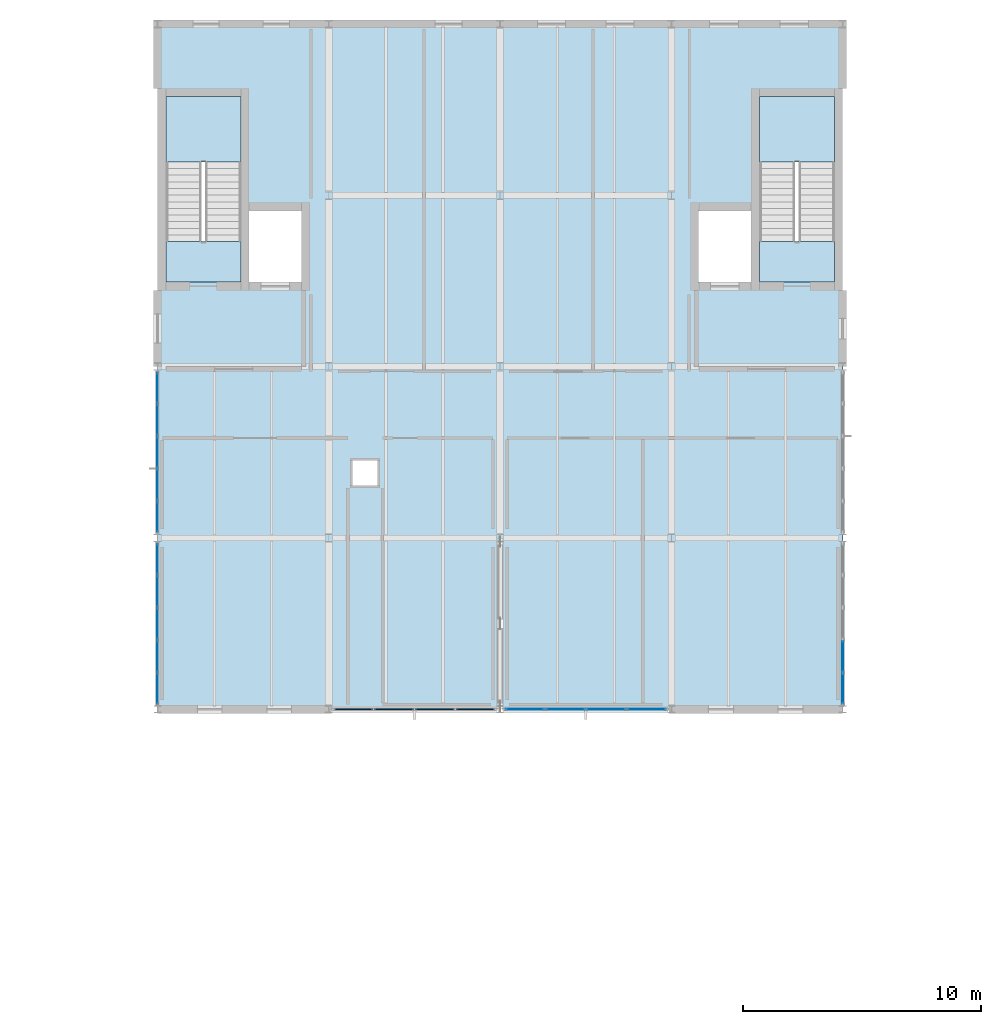
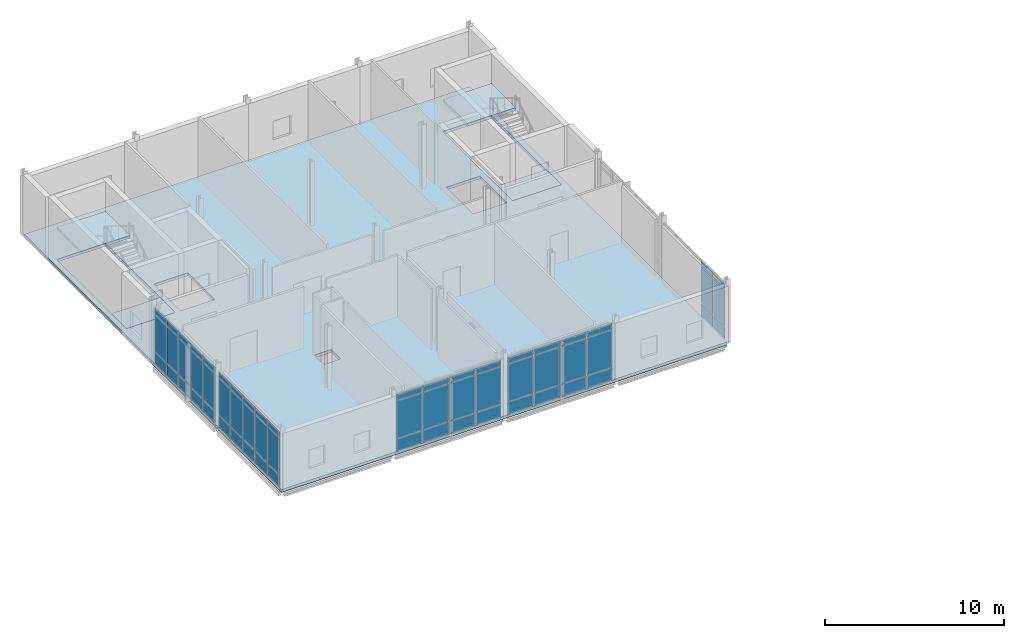
# One storey, part 24 of 43: 60 plates, 5 slabs, 7 elements without a shape of their own.
"""IFC4 building model written with IfcOpenShell, lengths in metres."""

from ifc_helpers import new_model, si_unit, direction, frame, origin, origin_2d, place, context, subcontext, project, spatial, polyline, rectangle, outline, extrude, material, layer, layer_set, type_object, element, aggregate, save


model = new_model("IFC4")

# Units and contexts
model_context = context("Model", 3, precision=1e-05, world=origin(), true_north=direction((0.0, 1.0)))
body_context = subcontext(model_context, "Body", "Model", "MODEL_VIEW")
ifc_project = project(units=[si_unit("LENGTHUNIT", "METRE"), si_unit("AREAUNIT", "SQUARE_METRE"), si_unit("VOLUMEUNIT", "CUBIC_METRE"), si_unit("PLANEANGLEUNIT", "RADIAN"), si_unit("MASSUNIT", "GRAM", prefix="KILO")], contexts=[model_context])

# Site, building, storey
site_placement = place(None, origin())
site = spatial("IfcSite", under=ifc_project, at=site_placement, CompositionType="ELEMENT")
building_placement = place(site_placement, origin())
building = spatial("IfcBuilding", under=site, at=building_placement, Name="Zarrinpeak Specialist Clinic", CompositionType="ELEMENT")
storey_placement = place(building_placement, frame((0.0, 0.0, 18.39990234375)))
storey = spatial("IfcBuildingStorey", under=building, at=storey_placement, Name="L04", CompositionType="ELEMENT", Elevation=18.39990234375)

# Curtain wall, plates
ifc_material_1 = material(Name="Anodised Aluminium Alloy 6063-T6", Category="aluminium")
ifc_layer_1 = layer(ifc_material_1, 0.179931640625)
ifc_layer_set_1 = layer_set([ifc_layer_1], Name="Anodised Aluminium Alloy 6063-T6")
curtain_wall_type_1 = type_object("IfcCurtainWallType", Name="CW-COURT", PredefinedType="NOTDEFINED", material=ifc_layer_set_1)
curtain_wall_1_placement = place(storey_placement, origin())
curtain_wall_1 = element("IfcCurtainWall", 1, at=curtain_wall_1_placement, inside=storey, type_object=curtain_wall_type_1, Name="L04 V6 Unitised Curtain Wall CW-L04-V6-154", PredefinedType="NOTDEFINED")
ifc_material_2 = material(Name="Double Low-E Insulated Glazing", Category="glass")
ifc_layer_2 = layer(ifc_material_2, 0.028076171875)
ifc_layer_set_2 = layer_set([ifc_layer_2], Name="Double Low-E Insulated Glazing")
plate_type_1 = type_object("IfcPlateType", Name="CWP-GLZ28", PredefinedType="CURTAIN_PANEL", material=ifc_layer_set_2)
plate_1_placement = place(storey_placement, frame((51.4423828125, 89.199951171875, 0.074951171875), z_axis=(0.0, 0.0, 1.0), x_axis=(1.0, 0.0, 0.0)))
plate_1 = element("IfcPlate", 2, at=plate_1_placement, type_object=plate_type_1, Name="CW-01 panel 1.1", PredefinedType="CURTAIN_PANEL", context=body_context, shape_type="SweptSolid", body=[
    extrude(rectangle(XDim=1.60498046875, YDim=0.028076171875, at=origin_2d()), origin(), (0.0, 0.0, 1.0), 0.78759765625),
])
plate_2_placement = place(storey_placement, frame((51.4423828125, 89.199951171875, 0.9375), z_axis=(0.0, 0.0, 1.0), x_axis=(1.0, 0.0, 0.0)))
plate_2 = element("IfcPlate", 3, at=plate_2_placement, type_object=plate_type_1, Name="CW-01 panel 1.2", PredefinedType="CURTAIN_PANEL", context=body_context, shape_type="SweptSolid", body=[
    extrude(rectangle(XDim=1.60498046875, YDim=0.028076171875, at=origin_2d()), origin(), (0.0, 0.0, 1.0), 2.514892578125),
])
plate_3_placement = place(storey_placement, frame((51.4423828125, 89.199951171875, 3.527587890625), z_axis=(0.0, 0.0, 1.0), x_axis=(1.0, 0.0, 0.0)))
plate_3 = element("IfcPlate", 4, at=plate_3_placement, type_object=plate_type_1, Name="CW-01 panel 1.3", PredefinedType="CURTAIN_PANEL", context=body_context, shape_type="SweptSolid", body=[
    extrude(rectangle(XDim=1.60498046875, YDim=0.028076171875, at=origin_2d()), origin(), (0.0, 0.0, 1.0), 0.33740234375),
])
plate_4_placement = place(storey_placement, frame((53.141357421875, 89.199951171875, 0.074951171875), z_axis=(0.0, 0.0, 1.0), x_axis=(1.0, 0.0, 0.0)))
plate_4 = element("IfcPlate", 5, at=plate_4_placement, type_object=plate_type_1, Name="CW-01 panel 2.1", PredefinedType="CURTAIN_PANEL", context=body_context, shape_type="SweptSolid", body=[
    extrude(rectangle(XDim=1.642578125, YDim=0.028076171875, at=origin_2d()), origin(), (0.0, 0.0, 1.0), 0.78759765625),
])
plate_5_placement = place(storey_placement, frame((53.141357421875, 89.199951171875, 0.9375), z_axis=(0.0, 0.0, 1.0), x_axis=(1.0, 0.0, 0.0)))
plate_5 = element("IfcPlate", 6, at=plate_5_placement, type_object=plate_type_1, Name="CW-01 panel 2.2", PredefinedType="CURTAIN_PANEL", context=body_context, shape_type="SweptSolid", body=[
    extrude(rectangle(XDim=1.642578125, YDim=0.028076171875, at=origin_2d()), origin(), (0.0, 0.0, 1.0), 2.514892578125),
])
plate_6_placement = place(storey_placement, frame((53.141357421875, 89.199951171875, 3.527587890625), z_axis=(0.0, 0.0, 1.0), x_axis=(1.0, 0.0, 0.0)))
plate_6 = element("IfcPlate", 7, at=plate_6_placement, type_object=plate_type_1, Name="CW-01 panel 2.3", PredefinedType="CURTAIN_PANEL", context=body_context, shape_type="SweptSolid", body=[
    extrude(rectangle(XDim=1.642578125, YDim=0.028076171875, at=origin_2d()), origin(), (0.0, 0.0, 1.0), 0.33740234375),
])
plate_7_placement = place(storey_placement, frame((54.858642578125, 89.199951171875, 0.074951171875), z_axis=(0.0, 0.0, 1.0), x_axis=(1.0, 0.0, 0.0)))
plate_7 = element("IfcPlate", 8, at=plate_7_placement, type_object=plate_type_1, Name="CW-01 panel 3.1", PredefinedType="CURTAIN_PANEL", context=body_context, shape_type="SweptSolid", body=[
    extrude(rectangle(XDim=1.642578125, YDim=0.028076171875, at=origin_2d()), origin(), (0.0, 0.0, 1.0), 0.78759765625),
])
plate_8_placement = place(storey_placement, frame((54.858642578125, 89.199951171875, 0.9375), z_axis=(0.0, 0.0, 1.0), x_axis=(1.0, 0.0, 0.0)))
plate_8 = element("IfcPlate", 9, at=plate_8_placement, type_object=plate_type_1, Name="CW-01 panel 3.2", PredefinedType="CURTAIN_PANEL", context=body_context, shape_type="SweptSolid", body=[
    extrude(rectangle(XDim=1.642578125, YDim=0.028076171875, at=origin_2d()), origin(), (0.0, 0.0, 1.0), 2.514892578125),
])
plate_9_placement = place(storey_placement, frame((54.858642578125, 89.199951171875, 3.527587890625), z_axis=(0.0, 0.0, 1.0), x_axis=(1.0, 0.0, 0.0)))
plate_9 = element("IfcPlate", 10, at=plate_9_placement, type_object=plate_type_1, Name="CW-01 panel 3.3", PredefinedType="CURTAIN_PANEL", context=body_context, shape_type="SweptSolid", body=[
    extrude(rectangle(XDim=1.642578125, YDim=0.028076171875, at=origin_2d()), origin(), (0.0, 0.0, 1.0), 0.33740234375),
])
plate_10_placement = place(storey_placement, frame((56.5576171875, 89.199951171875, 0.074951171875), z_axis=(0.0, 0.0, 1.0), x_axis=(1.0, 0.0, 0.0)))
plate_10 = element("IfcPlate", 11, at=plate_10_placement, type_object=plate_type_1, Name="CW-01 panel 4.1", PredefinedType="CURTAIN_PANEL", context=body_context, shape_type="SweptSolid", body=[
    extrude(rectangle(XDim=1.60498046875, YDim=0.028076171875, at=origin_2d()), origin(), (0.0, 0.0, 1.0), 0.78759765625),
])
plate_11_placement = place(storey_placement, frame((56.5576171875, 89.199951171875, 0.9375), z_axis=(0.0, 0.0, 1.0), x_axis=(1.0, 0.0, 0.0)))
plate_11 = element("IfcPlate", 12, at=plate_11_placement, type_object=plate_type_1, Name="CW-01 panel 4.2", PredefinedType="CURTAIN_PANEL", context=body_context, shape_type="SweptSolid", body=[
    extrude(rectangle(XDim=1.60498046875, YDim=0.028076171875, at=origin_2d()), origin(), (0.0, 0.0, 1.0), 2.514892578125),
])
plate_12_placement = place(storey_placement, frame((56.5576171875, 89.199951171875, 3.527587890625), z_axis=(0.0, 0.0, 1.0), x_axis=(1.0, 0.0, 0.0)))
plate_12 = element("IfcPlate", 13, at=plate_12_placement, type_object=plate_type_1, Name="CW-01 panel 4.3", PredefinedType="CURTAIN_PANEL", context=body_context, shape_type="SweptSolid", body=[
    extrude(rectangle(XDim=1.60498046875, YDim=0.028076171875, at=origin_2d()), origin(), (0.0, 0.0, 1.0), 0.33740234375),
])
aggregate(curtain_wall_1, [plate_1, plate_2, plate_3, plate_4, plate_5, plate_6, plate_7, plate_8, plate_9, plate_10, plate_11, plate_12])

ifc_layer_3 = layer(ifc_material_1, 0.1650390625)
ifc_layer_set_3 = layer_set([ifc_layer_3], Name="Anodised Aluminium Alloy 6063-T6")
curtain_wall_type_2 = type_object("IfcCurtainWallType", Name="CW-CLINIC", PredefinedType="NOTDEFINED", material=ifc_layer_set_3)
curtain_wall_2_placement = place(storey_placement, origin())
curtain_wall_2 = element("IfcCurtainWall", 14, at=curtain_wall_2_placement, inside=storey, type_object=curtain_wall_type_2, Name="L04 V6 Unitised Curtain Wall CW-L04-V6-155", PredefinedType="NOTDEFINED")
plate_13_placement = place(storey_placement, frame((36.0, 95.51123046875, 0.074951171875), z_axis=(0.0, 0.0, 1.0), x_axis=(0.0, -1.0, 0.0)))
plate_13 = element("IfcPlate", 15, at=plate_13_placement, type_object=plate_type_1, Name="CW-03 panel 1.1", PredefinedType="CURTAIN_PANEL", context=body_context, shape_type="SweptSolid", body=[
    extrude(rectangle(XDim=1.257568359375, YDim=0.028076171875, at=origin_2d()), origin(), (0.0, 0.0, 1.0), 0.78759765625),
])
plate_14_placement = place(storey_placement, frame((36.0, 95.51123046875, 0.9375), z_axis=(0.0, 0.0, 1.0), x_axis=(0.0, -1.0, 0.0)))
plate_14 = element("IfcPlate", 16, at=plate_14_placement, type_object=plate_type_1, Name="CW-03 panel 1.2", PredefinedType="CURTAIN_PANEL", context=body_context, shape_type="SweptSolid", body=[
    extrude(rectangle(XDim=1.257568359375, YDim=0.028076171875, at=origin_2d()), origin(), (0.0, 0.0, 1.0), 2.465087890625),
])
plate_15_placement = place(storey_placement, frame((36.0, 95.51123046875, 3.4775390625), z_axis=(0.0, 0.0, 1.0), x_axis=(0.0, -1.0, 0.0)))
plate_15 = element("IfcPlate", 17, at=plate_15_placement, type_object=plate_type_1, Name="CW-03 panel 1.3", PredefinedType="CURTAIN_PANEL", context=body_context, shape_type="SweptSolid", body=[
    extrude(rectangle(XDim=1.257568359375, YDim=0.028076171875, at=origin_2d()), origin(), (0.0, 0.0, 1.0), 0.33740234375),
])
plate_16_placement = place(storey_placement, frame((36.0, 94.159912109375, 0.074951171875), z_axis=(0.0, 0.0, 1.0), x_axis=(0.0, -1.0, 0.0)))
plate_16 = element("IfcPlate", 18, at=plate_16_placement, type_object=plate_type_1, Name="CW-03 panel 2.1", PredefinedType="CURTAIN_PANEL", context=body_context, shape_type="SweptSolid", body=[
    extrude(rectangle(XDim=1.294921875, YDim=0.028076171875, at=origin_2d()), origin(), (0.0, 0.0, 1.0), 0.78759765625),
])
plate_17_placement = place(storey_placement, frame((36.0, 94.159912109375, 0.9375), z_axis=(0.0, 0.0, 1.0), x_axis=(0.0, -1.0, 0.0)))
plate_17 = element("IfcPlate", 19, at=plate_17_placement, type_object=plate_type_1, Name="CW-03 panel 2.2", PredefinedType="CURTAIN_PANEL", context=body_context, shape_type="SweptSolid", body=[
    extrude(rectangle(XDim=1.294921875, YDim=0.028076171875, at=origin_2d()), origin(), (0.0, 0.0, 1.0), 2.465087890625),
])
plate_18_placement = place(storey_placement, frame((36.0, 94.159912109375, 3.4775390625), z_axis=(0.0, 0.0, 1.0), x_axis=(0.0, -1.0, 0.0)))
plate_18 = element("IfcPlate", 20, at=plate_18_placement, type_object=plate_type_1, Name="CW-03 panel 2.3", PredefinedType="CURTAIN_PANEL", context=body_context, shape_type="SweptSolid", body=[
    extrude(rectangle(XDim=1.294921875, YDim=0.028076171875, at=origin_2d()), origin(), (0.0, 0.0, 1.0), 0.33740234375),
])
plate_19_placement = place(storey_placement, frame((36.0, 92.7900390625, 0.074951171875), z_axis=(0.0, 0.0, 1.0), x_axis=(0.0, -1.0, 0.0)))
plate_19 = element("IfcPlate", 21, at=plate_19_placement, type_object=plate_type_1, Name="CW-03 panel 3.1", PredefinedType="CURTAIN_PANEL", context=body_context, shape_type="SweptSolid", body=[
    extrude(rectangle(XDim=1.294921875, YDim=0.028076171875, at=origin_2d()), origin(), (0.0, 0.0, 1.0), 0.78759765625),
])
plate_20_placement = place(storey_placement, frame((36.0, 92.7900390625, 0.9375), z_axis=(0.0, 0.0, 1.0), x_axis=(0.0, -1.0, 0.0)))
plate_20 = element("IfcPlate", 22, at=plate_20_placement, type_object=plate_type_1, Name="CW-03 panel 3.2", PredefinedType="CURTAIN_PANEL", context=body_context, shape_type="SweptSolid", body=[
    extrude(rectangle(XDim=1.294921875, YDim=0.028076171875, at=origin_2d()), origin(), (0.0, 0.0, 1.0), 2.465087890625),
])
plate_21_placement = place(storey_placement, frame((36.0, 92.7900390625, 3.4775390625), z_axis=(0.0, 0.0, 1.0), x_axis=(0.0, -1.0, 0.0)))
plate_21 = element("IfcPlate", 23, at=plate_21_placement, type_object=plate_type_1, Name="CW-03 panel 3.3", PredefinedType="CURTAIN_PANEL", context=body_context, shape_type="SweptSolid", body=[
    extrude(rectangle(XDim=1.294921875, YDim=0.028076171875, at=origin_2d()), origin(), (0.0, 0.0, 1.0), 0.33740234375),
])
plate_22_placement = place(storey_placement, frame((36.0, 91.419921875, 0.074951171875), z_axis=(0.0, 0.0, 1.0), x_axis=(0.0, -1.0, 0.0)))
plate_22 = element("IfcPlate", 24, at=plate_22_placement, type_object=plate_type_1, Name="CW-03 panel 4.1", PredefinedType="CURTAIN_PANEL", context=body_context, shape_type="SweptSolid", body=[
    extrude(rectangle(XDim=1.294921875, YDim=0.028076171875, at=origin_2d()), origin(), (0.0, 0.0, 1.0), 0.78759765625),
])
plate_23_placement = place(storey_placement, frame((36.0, 91.419921875, 0.9375), z_axis=(0.0, 0.0, 1.0), x_axis=(0.0, -1.0, 0.0)))
plate_23 = element("IfcPlate", 25, at=plate_23_placement, type_object=plate_type_1, Name="CW-03 panel 4.2", PredefinedType="CURTAIN_PANEL", context=body_context, shape_type="SweptSolid", body=[
    extrude(rectangle(XDim=1.294921875, YDim=0.028076171875, at=origin_2d()), origin(), (0.0, 0.0, 1.0), 2.465087890625),
])
plate_24_placement = place(storey_placement, frame((36.0, 91.419921875, 3.4775390625), z_axis=(0.0, 0.0, 1.0), x_axis=(0.0, -1.0, 0.0)))
plate_24 = element("IfcPlate", 26, at=plate_24_placement, type_object=plate_type_1, Name="CW-03 panel 4.3", PredefinedType="CURTAIN_PANEL", context=body_context, shape_type="SweptSolid", body=[
    extrude(rectangle(XDim=1.294921875, YDim=0.028076171875, at=origin_2d()), origin(), (0.0, 0.0, 1.0), 0.33740234375),
])
plate_25_placement = place(storey_placement, frame((36.0, 90.06884765625, 0.074951171875), z_axis=(0.0, 0.0, 1.0), x_axis=(0.0, -1.0, 0.0)))
plate_25 = element("IfcPlate", 27, at=plate_25_placement, type_object=plate_type_1, Name="CW-03 panel 5.1", PredefinedType="CURTAIN_PANEL", context=body_context, shape_type="SweptSolid", body=[
    extrude(rectangle(XDim=1.257568359375, YDim=0.028076171875, at=origin_2d()), origin(), (0.0, 0.0, 1.0), 0.78759765625),
])
plate_26_placement = place(storey_placement, frame((36.0, 90.06884765625, 0.9375), z_axis=(0.0, 0.0, 1.0), x_axis=(0.0, -1.0, 0.0)))
plate_26 = element("IfcPlate", 28, at=plate_26_placement, type_object=plate_type_1, Name="CW-03 panel 5.2", PredefinedType="CURTAIN_PANEL", context=body_context, shape_type="SweptSolid", body=[
    extrude(rectangle(XDim=1.257568359375, YDim=0.028076171875, at=origin_2d()), origin(), (0.0, 0.0, 1.0), 2.465087890625),
])
plate_27_placement = place(storey_placement, frame((36.0, 90.06884765625, 3.4775390625), z_axis=(0.0, 0.0, 1.0), x_axis=(0.0, -1.0, 0.0)))
plate_27 = element("IfcPlate", 29, at=plate_27_placement, type_object=plate_type_1, Name="CW-03 panel 5.3", PredefinedType="CURTAIN_PANEL", context=body_context, shape_type="SweptSolid", body=[
    extrude(rectangle(XDim=1.257568359375, YDim=0.028076171875, at=origin_2d()), origin(), (0.0, 0.0, 1.0), 0.33740234375),
])
aggregate(curtain_wall_2, [plate_13, plate_14, plate_15, plate_16, plate_17, plate_18, plate_19, plate_20, plate_21, plate_22, plate_23, plate_24, plate_25, plate_26, plate_27])

curtain_wall_3_placement = place(storey_placement, origin())
curtain_wall_3 = element("IfcCurtainWall", 30, at=curtain_wall_3_placement, inside=storey, type_object=curtain_wall_type_2, Name="L04 V6 Unitised Curtain Wall CW-L04-V6-156", PredefinedType="NOTDEFINED")
plate_28_placement = place(storey_placement, frame((36.0, 102.713134765625, 0.074951171875), z_axis=(0.0, 0.0, 1.0), x_axis=(0.0, -1.0, 0.0)))
plate_28 = element("IfcPlate", 31, at=plate_28_placement, type_object=plate_type_1, Name="CW-03 panel 1.1", PredefinedType="CURTAIN_PANEL", context=body_context, shape_type="SweptSolid", body=[
    extrude(rectangle(XDim=1.25341796875, YDim=0.028076171875, at=origin_2d()), origin(), (0.0, 0.0, 1.0), 0.78759765625),
])
plate_29_placement = place(storey_placement, frame((36.0, 102.713134765625, 0.9375), z_axis=(0.0, 0.0, 1.0), x_axis=(0.0, -1.0, 0.0)))
plate_29 = element("IfcPlate", 32, at=plate_29_placement, type_object=plate_type_1, Name="CW-03 panel 1.2", PredefinedType="CURTAIN_PANEL", context=body_context, shape_type="SweptSolid", body=[
    extrude(rectangle(XDim=1.25341796875, YDim=0.028076171875, at=origin_2d()), origin(), (0.0, 0.0, 1.0), 2.47509765625),
])
plate_30_placement = place(storey_placement, frame((36.0, 102.713134765625, 3.487548828125), z_axis=(0.0, 0.0, 1.0), x_axis=(0.0, -1.0, 0.0)))
plate_30 = element("IfcPlate", 33, at=plate_30_placement, type_object=plate_type_1, Name="CW-03 panel 1.3", PredefinedType="CURTAIN_PANEL", context=body_context, shape_type="SweptSolid", body=[
    extrude(rectangle(XDim=1.25341796875, YDim=0.028076171875, at=origin_2d()), origin(), (0.0, 0.0, 1.0), 0.33740234375),
])
plate_31_placement = place(storey_placement, frame((36.0, 101.365966796875, 0.074951171875), z_axis=(0.0, 0.0, 1.0), x_axis=(0.0, -1.0, 0.0)))
plate_31 = element("IfcPlate", 34, at=plate_31_placement, type_object=plate_type_1, Name="CW-03 panel 2.1", PredefinedType="CURTAIN_PANEL", context=body_context, shape_type="SweptSolid", body=[
    extrude(rectangle(XDim=1.291015625, YDim=0.028076171875, at=origin_2d()), origin(), (0.0, 0.0, 1.0), 0.78759765625),
])
plate_32_placement = place(storey_placement, frame((36.0, 101.365966796875, 0.9375), z_axis=(0.0, 0.0, 1.0), x_axis=(0.0, -1.0, 0.0)))
plate_32 = element("IfcPlate", 35, at=plate_32_placement, type_object=plate_type_1, Name="CW-03 panel 2.2", PredefinedType="CURTAIN_PANEL", context=body_context, shape_type="SweptSolid", body=[
    extrude(rectangle(XDim=1.291015625, YDim=0.028076171875, at=origin_2d()), origin(), (0.0, 0.0, 1.0), 2.47509765625),
])
plate_33_placement = place(storey_placement, frame((36.0, 101.365966796875, 3.487548828125), z_axis=(0.0, 0.0, 1.0), x_axis=(0.0, -1.0, 0.0)))
plate_33 = element("IfcPlate", 36, at=plate_33_placement, type_object=plate_type_1, Name="CW-03 panel 2.3", PredefinedType="CURTAIN_PANEL", context=body_context, shape_type="SweptSolid", body=[
    extrude(rectangle(XDim=1.291015625, YDim=0.028076171875, at=origin_2d()), origin(), (0.0, 0.0, 1.0), 0.33740234375),
])
plate_34_placement = place(storey_placement, frame((36.0, 100.0, 0.074951171875), z_axis=(0.0, 0.0, 1.0), x_axis=(0.0, -1.0, 0.0)))
plate_34 = element("IfcPlate", 37, at=plate_34_placement, type_object=plate_type_1, Name="CW-03 panel 3.1", PredefinedType="CURTAIN_PANEL", context=body_context, shape_type="SweptSolid", body=[
    extrude(rectangle(XDim=1.291015625, YDim=0.028076171875, at=origin_2d()), origin(), (0.0, 0.0, 1.0), 0.78759765625),
])
plate_35_placement = place(storey_placement, frame((36.0, 100.0, 0.9375), z_axis=(0.0, 0.0, 1.0), x_axis=(0.0, -1.0, 0.0)))
plate_35 = element("IfcPlate", 38, at=plate_35_placement, type_object=plate_type_1, Name="CW-03 panel 3.2", PredefinedType="CURTAIN_PANEL", context=body_context, shape_type="SweptSolid", body=[
    extrude(rectangle(XDim=1.291015625, YDim=0.028076171875, at=origin_2d()), origin(), (0.0, 0.0, 1.0), 2.47509765625),
])
plate_36_placement = place(storey_placement, frame((36.0, 100.0, 3.487548828125), z_axis=(0.0, 0.0, 1.0), x_axis=(0.0, -1.0, 0.0)))
plate_36 = element("IfcPlate", 39, at=plate_36_placement, type_object=plate_type_1, Name="CW-03 panel 3.3", PredefinedType="CURTAIN_PANEL", context=body_context, shape_type="SweptSolid", body=[
    extrude(rectangle(XDim=1.291015625, YDim=0.028076171875, at=origin_2d()), origin(), (0.0, 0.0, 1.0), 0.33740234375),
])
plate_37_placement = place(storey_placement, frame((36.0, 98.634033203125, 0.074951171875), z_axis=(0.0, 0.0, 1.0), x_axis=(0.0, -1.0, 0.0)))
plate_37 = element("IfcPlate", 40, at=plate_37_placement, type_object=plate_type_1, Name="CW-03 panel 4.1", PredefinedType="CURTAIN_PANEL", context=body_context, shape_type="SweptSolid", body=[
    extrude(rectangle(XDim=1.291015625, YDim=0.028076171875, at=origin_2d()), origin(), (0.0, 0.0, 1.0), 0.78759765625),
])
plate_38_placement = place(storey_placement, frame((36.0, 98.634033203125, 0.9375), z_axis=(0.0, 0.0, 1.0), x_axis=(0.0, -1.0, 0.0)))
plate_38 = element("IfcPlate", 41, at=plate_38_placement, type_object=plate_type_1, Name="CW-03 panel 4.2", PredefinedType="CURTAIN_PANEL", context=body_context, shape_type="SweptSolid", body=[
    extrude(rectangle(XDim=1.291015625, YDim=0.028076171875, at=origin_2d()), origin(), (0.0, 0.0, 1.0), 2.47509765625),
])
plate_39_placement = place(storey_placement, frame((36.0, 98.634033203125, 3.487548828125), z_axis=(0.0, 0.0, 1.0), x_axis=(0.0, -1.0, 0.0)))
plate_39 = element("IfcPlate", 42, at=plate_39_placement, type_object=plate_type_1, Name="CW-03 panel 4.3", PredefinedType="CURTAIN_PANEL", context=body_context, shape_type="SweptSolid", body=[
    extrude(rectangle(XDim=1.291015625, YDim=0.028076171875, at=origin_2d()), origin(), (0.0, 0.0, 1.0), 0.33740234375),
])
plate_40_placement = place(storey_placement, frame((36.0, 97.286865234375, 0.074951171875), z_axis=(0.0, 0.0, 1.0), x_axis=(0.0, -1.0, 0.0)))
plate_40 = element("IfcPlate", 43, at=plate_40_placement, type_object=plate_type_1, Name="CW-03 panel 5.1", PredefinedType="CURTAIN_PANEL", context=body_context, shape_type="SweptSolid", body=[
    extrude(rectangle(XDim=1.25341796875, YDim=0.028076171875, at=origin_2d()), origin(), (0.0, 0.0, 1.0), 0.78759765625),
])
plate_41_placement = place(storey_placement, frame((36.0, 97.286865234375, 0.9375), z_axis=(0.0, 0.0, 1.0), x_axis=(0.0, -1.0, 0.0)))
plate_41 = element("IfcPlate", 44, at=plate_41_placement, type_object=plate_type_1, Name="CW-03 panel 5.2", PredefinedType="CURTAIN_PANEL", context=body_context, shape_type="SweptSolid", body=[
    extrude(rectangle(XDim=1.25341796875, YDim=0.028076171875, at=origin_2d()), origin(), (0.0, 0.0, 1.0), 2.47509765625),
])
plate_42_placement = place(storey_placement, frame((36.0, 97.286865234375, 3.487548828125), z_axis=(0.0, 0.0, 1.0), x_axis=(0.0, -1.0, 0.0)))
plate_42 = element("IfcPlate", 45, at=plate_42_placement, type_object=plate_type_1, Name="CW-03 panel 5.3", PredefinedType="CURTAIN_PANEL", context=body_context, shape_type="SweptSolid", body=[
    extrude(rectangle(XDim=1.25341796875, YDim=0.028076171875, at=origin_2d()), origin(), (0.0, 0.0, 1.0), 0.33740234375),
])
aggregate(curtain_wall_3, [plate_28, plate_29, plate_30, plate_31, plate_32, plate_33, plate_34, plate_35, plate_36, plate_37, plate_38, plate_39, plate_40, plate_41, plate_42])

curtain_wall_4_placement = place(storey_placement, origin())
curtain_wall_4 = element("IfcCurtainWall", 46, at=curtain_wall_4_placement, inside=storey, type_object=curtain_wall_type_2, Name="L04 V6 Unitised Curtain Wall CW-L04-V6-157", PredefinedType="NOTDEFINED")
plate_43_placement = place(storey_placement, frame((64.800048828125, 90.06884765625, 0.074951171875), z_axis=(0.0, 0.0, 1.0), x_axis=(0.0, 1.0, 0.0)))
plate_43 = element("IfcPlate", 47, at=plate_43_placement, type_object=plate_type_1, Name="CW-03 panel 1.1", PredefinedType="CURTAIN_PANEL", context=body_context, shape_type="SweptSolid", body=[
    extrude(rectangle(XDim=1.257568359375, YDim=0.028076171875, at=origin_2d()), origin(), (0.0, 0.0, 1.0), 0.78759765625),
])
plate_44_placement = place(storey_placement, frame((64.800048828125, 90.06884765625, 0.9375), z_axis=(0.0, 0.0, 1.0), x_axis=(0.0, 1.0, 0.0)))
plate_44 = element("IfcPlate", 48, at=plate_44_placement, type_object=plate_type_1, Name="CW-03 panel 1.2", PredefinedType="CURTAIN_PANEL", context=body_context, shape_type="SweptSolid", body=[
    extrude(rectangle(XDim=1.257568359375, YDim=0.028076171875, at=origin_2d()), origin(), (0.0, 0.0, 1.0), 2.465087890625),
])
plate_45_placement = place(storey_placement, frame((64.800048828125, 90.06884765625, 3.4775390625), z_axis=(0.0, 0.0, 1.0), x_axis=(0.0, 1.0, 0.0)))
plate_45 = element("IfcPlate", 49, at=plate_45_placement, type_object=plate_type_1, Name="CW-03 panel 1.3", PredefinedType="CURTAIN_PANEL", context=body_context, shape_type="SweptSolid", body=[
    extrude(rectangle(XDim=1.257568359375, YDim=0.028076171875, at=origin_2d()), origin(), (0.0, 0.0, 1.0), 0.33740234375),
])
plate_46_placement = place(storey_placement, frame((64.800048828125, 91.419921875, 0.074951171875), z_axis=(0.0, 0.0, 1.0), x_axis=(0.0, 1.0, 0.0)))
plate_46 = element("IfcPlate", 50, at=plate_46_placement, type_object=plate_type_1, Name="CW-03 panel 2.1", PredefinedType="CURTAIN_PANEL", context=body_context, shape_type="SweptSolid", body=[
    extrude(rectangle(XDim=1.294921875, YDim=0.028076171875, at=origin_2d()), origin(), (0.0, 0.0, 1.0), 0.78759765625),
])
plate_47_placement = place(storey_placement, frame((64.800048828125, 91.419921875, 0.9375), z_axis=(0.0, 0.0, 1.0), x_axis=(0.0, 1.0, 0.0)))
plate_47 = element("IfcPlate", 51, at=plate_47_placement, type_object=plate_type_1, Name="CW-03 panel 2.2", PredefinedType="CURTAIN_PANEL", context=body_context, shape_type="SweptSolid", body=[
    extrude(rectangle(XDim=1.294921875, YDim=0.028076171875, at=origin_2d()), origin(), (0.0, 0.0, 1.0), 2.465087890625),
])
plate_48_placement = place(storey_placement, frame((64.800048828125, 91.419921875, 3.4775390625), z_axis=(0.0, 0.0, 1.0), x_axis=(0.0, 1.0, 0.0)))
plate_48 = element("IfcPlate", 52, at=plate_48_placement, type_object=plate_type_1, Name="CW-03 panel 2.3", PredefinedType="CURTAIN_PANEL", context=body_context, shape_type="SweptSolid", body=[
    extrude(rectangle(XDim=1.294921875, YDim=0.028076171875, at=origin_2d()), origin(), (0.0, 0.0, 1.0), 0.33740234375),
])
aggregate(curtain_wall_4, [plate_43, plate_44, plate_45, plate_46, plate_47, plate_48])

curtain_wall_5_placement = place(storey_placement, origin())
curtain_wall_5 = element("IfcCurtainWall", 53, at=curtain_wall_5_placement, inside=storey, type_object=curtain_wall_type_1, Name="L04 V6 Unitised Curtain Wall CW-L04-V6-153", PredefinedType="NOTDEFINED")
ifc_material_3 = material(Name="Insulated Aluminium Spandrel Panel", Category="aluminium")
ifc_layer_4 = layer(ifc_material_3, 0.044921875)
ifc_layer_set_4 = layer_set([ifc_layer_4], Name="Insulated Aluminium Spandrel Panel")
plate_type_2 = type_object("IfcPlateType", Name="CWP-SPN45", PredefinedType="CURTAIN_PANEL", material=ifc_layer_set_4)
plate_49_placement = place(storey_placement, frame((44.242431640625, 89.199951171875, 0.074951171875), z_axis=(0.0, 0.0, 1.0), x_axis=(1.0, 0.0, 0.0)))
plate_49 = element("IfcPlate", 54, at=plate_49_placement, type_object=plate_type_2, Name="CW-01 panel 1.1", PredefinedType="CURTAIN_PANEL", context=body_context, shape_type="SweptSolid", body=[
    extrude(rectangle(XDim=1.60498046875, YDim=0.044921875, at=origin_2d()), origin(), (0.0, 0.0, 1.0), 0.78759765625),
])
plate_50_placement = place(storey_placement, frame((44.242431640625, 89.199951171875, 0.9375), z_axis=(0.0, 0.0, 1.0), x_axis=(1.0, 0.0, 0.0)))
plate_50 = element("IfcPlate", 55, at=plate_50_placement, type_object=plate_type_2, Name="CW-01 panel 1.2", PredefinedType="CURTAIN_PANEL", context=body_context, shape_type="SweptSolid", body=[
    extrude(rectangle(XDim=1.60498046875, YDim=0.044921875, at=origin_2d()), origin(), (0.0, 0.0, 1.0), 2.514892578125),
])
plate_51_placement = place(storey_placement, frame((44.242431640625, 89.199951171875, 3.527587890625), z_axis=(0.0, 0.0, 1.0), x_axis=(1.0, 0.0, 0.0)))
plate_51 = element("IfcPlate", 56, at=plate_51_placement, type_object=plate_type_2, Name="CW-01 panel 1.3", PredefinedType="CURTAIN_PANEL", context=body_context, shape_type="SweptSolid", body=[
    extrude(rectangle(XDim=1.60498046875, YDim=0.044921875, at=origin_2d()), origin(), (0.0, 0.0, 1.0), 0.33740234375),
])
plate_52_placement = place(storey_placement, frame((45.941162109375, 89.199951171875, 0.074951171875), z_axis=(0.0, 0.0, 1.0), x_axis=(1.0, 0.0, 0.0)))
plate_52 = element("IfcPlate", 57, at=plate_52_placement, type_object=plate_type_2, Name="CW-01 panel 2.1", PredefinedType="CURTAIN_PANEL", context=body_context, shape_type="SweptSolid", body=[
    extrude(rectangle(XDim=1.642578125, YDim=0.044921875, at=origin_2d()), origin(), (0.0, 0.0, 1.0), 0.78759765625),
])
plate_53_placement = place(storey_placement, frame((45.941162109375, 89.199951171875, 0.9375), z_axis=(0.0, 0.0, 1.0), x_axis=(1.0, 0.0, 0.0)))
plate_53 = element("IfcPlate", 58, at=plate_53_placement, type_object=plate_type_2, Name="CW-01 panel 2.2", PredefinedType="CURTAIN_PANEL", context=body_context, shape_type="SweptSolid", body=[
    extrude(rectangle(XDim=1.642578125, YDim=0.044921875, at=origin_2d()), origin(), (0.0, 0.0, 1.0), 2.514892578125),
])
plate_54_placement = place(storey_placement, frame((45.941162109375, 89.199951171875, 3.527587890625), z_axis=(0.0, 0.0, 1.0), x_axis=(1.0, 0.0, 0.0)))
plate_54 = element("IfcPlate", 59, at=plate_54_placement, type_object=plate_type_2, Name="CW-01 panel 2.3", PredefinedType="CURTAIN_PANEL", context=body_context, shape_type="SweptSolid", body=[
    extrude(rectangle(XDim=1.642578125, YDim=0.044921875, at=origin_2d()), origin(), (0.0, 0.0, 1.0), 0.33740234375),
])
plate_55_placement = place(storey_placement, frame((47.65869140625, 89.199951171875, 0.074951171875), z_axis=(0.0, 0.0, 1.0), x_axis=(1.0, 0.0, 0.0)))
plate_55 = element("IfcPlate", 60, at=plate_55_placement, type_object=plate_type_2, Name="CW-01 panel 3.1", PredefinedType="CURTAIN_PANEL", context=body_context, shape_type="SweptSolid", body=[
    extrude(rectangle(XDim=1.642578125, YDim=0.044921875, at=origin_2d()), origin(), (0.0, 0.0, 1.0), 0.78759765625),
])
plate_56_placement = place(storey_placement, frame((47.65869140625, 89.199951171875, 0.9375), z_axis=(0.0, 0.0, 1.0), x_axis=(1.0, 0.0, 0.0)))
plate_56 = element("IfcPlate", 61, at=plate_56_placement, type_object=plate_type_2, Name="CW-01 panel 3.2", PredefinedType="CURTAIN_PANEL", context=body_context, shape_type="SweptSolid", body=[
    extrude(rectangle(XDim=1.642578125, YDim=0.044921875, at=origin_2d()), origin(), (0.0, 0.0, 1.0), 2.514892578125),
])
plate_57_placement = place(storey_placement, frame((47.65869140625, 89.199951171875, 3.527587890625), z_axis=(0.0, 0.0, 1.0), x_axis=(1.0, 0.0, 0.0)))
plate_57 = element("IfcPlate", 62, at=plate_57_placement, type_object=plate_type_2, Name="CW-01 panel 3.3", PredefinedType="CURTAIN_PANEL", context=body_context, shape_type="SweptSolid", body=[
    extrude(rectangle(XDim=1.642578125, YDim=0.044921875, at=origin_2d()), origin(), (0.0, 0.0, 1.0), 0.33740234375),
])
plate_58_placement = place(storey_placement, frame((49.357421875, 89.199951171875, 0.074951171875), z_axis=(0.0, 0.0, 1.0), x_axis=(1.0, 0.0, 0.0)))
plate_58 = element("IfcPlate", 63, at=plate_58_placement, type_object=plate_type_2, Name="CW-01 panel 4.1", PredefinedType="CURTAIN_PANEL", context=body_context, shape_type="SweptSolid", body=[
    extrude(rectangle(XDim=1.60498046875, YDim=0.044921875, at=origin_2d()), origin(), (0.0, 0.0, 1.0), 0.78759765625),
])
plate_59_placement = place(storey_placement, frame((49.357421875, 89.199951171875, 0.9375), z_axis=(0.0, 0.0, 1.0), x_axis=(1.0, 0.0, 0.0)))
plate_59 = element("IfcPlate", 64, at=plate_59_placement, type_object=plate_type_2, Name="CW-01 panel 4.2", PredefinedType="CURTAIN_PANEL", context=body_context, shape_type="SweptSolid", body=[
    extrude(rectangle(XDim=1.60498046875, YDim=0.044921875, at=origin_2d()), origin(), (0.0, 0.0, 1.0), 2.514892578125),
])
plate_60_placement = place(storey_placement, frame((49.357421875, 89.199951171875, 3.527587890625), z_axis=(0.0, 0.0, 1.0), x_axis=(1.0, 0.0, 0.0)))
plate_60 = element("IfcPlate", 65, at=plate_60_placement, type_object=plate_type_2, Name="CW-01 panel 4.3", PredefinedType="CURTAIN_PANEL", context=body_context, shape_type="SweptSolid", body=[
    extrude(rectangle(XDim=1.60498046875, YDim=0.044921875, at=origin_2d()), origin(), (0.0, 0.0, 1.0), 0.33740234375),
])
aggregate(curtain_wall_5, [plate_49, plate_50, plate_51, plate_52, plate_53, plate_54, plate_55, plate_56, plate_57, plate_58, plate_59, plate_60])

# Slabs
ifc_material_4 = material(Name="Concrete C35/45", Category="concrete")
ifc_layer_5 = layer(ifc_material_4, 0.199951171875)
ifc_layer_set_5 = layer_set([ifc_layer_5], Name="Concrete C35/45")
slab_type_1 = type_object("IfcSlabType", Name="SL-FLR200", PredefinedType="FLOOR", material=ifc_layer_set_5)
slab_1_placement = place(storey_placement, frame((0.0, 0.0, -0.199951171875)))
element("IfcSlab", 66, at=slab_1_placement, inside=storey, type_object=slab_type_1, Name="L04 Suspended Clinical Floor Slab V6", PredefinedType="FLOOR", context=body_context, shape_type="SweptSolid", body=[
    extrude(outline(polyline([(36.0, 89.199951171875), (64.800048828125, 89.199951171875), (64.800048828125, 118.0), (36.0, 118.0), (36.0, 89.199951171875)]), holes=[polyline([(36.35009765625, 107.14990234375), (39.5, 107.14990234375), (39.5, 114.949951171875), (36.35009765625, 114.949951171875), (36.35009765625, 107.14990234375)]), polyline([(39.85009765625, 107.14990234375), (42.050048828125, 107.14990234375), (42.050048828125, 110.14990234375), (39.85009765625, 110.14990234375), (39.85009765625, 107.14990234375)]), polyline([(61.300048828125, 107.14990234375), (64.449951171875, 107.14990234375), (64.449951171875, 114.949951171875), (61.300048828125, 114.949951171875), (61.300048828125, 107.14990234375)]), polyline([(58.75, 107.14990234375), (60.949951171875, 107.14990234375), (60.949951171875, 110.14990234375), (58.75, 110.14990234375), (58.75, 107.14990234375)]), polyline([(44.199951171875, 98.60009765625), (45.25, 98.60009765625), (45.25, 99.64990234375), (44.199951171875, 99.64990234375), (44.199951171875, 98.60009765625)])]), origin(), (0.0, 0.0, 1.0), 0.199951171875),
])
slab_2_placement = place(storey_placement, frame((0.0, 0.0, -0.199951171875)))
element("IfcSlab", 67, at=slab_2_placement, inside=storey, type_object=slab_type_1, Name="L04 Core C11 Stairwell Floor Landing Slab", PredefinedType="FLOOR", context=body_context, shape_type="SweptSolid", body=[
    extrude(outline(polyline([(36.35009765625, 107.14990234375), (39.5, 107.14990234375), (39.5, 108.85009765625), (36.35009765625, 108.85009765625), (36.35009765625, 107.14990234375)])), origin(), (0.0, 0.0, 1.0), 0.199951171875),
])
slab_3_placement = place(storey_placement, frame((0.0, 0.0, -0.199951171875)))
element("IfcSlab", 68, at=slab_3_placement, inside=storey, type_object=slab_type_1, Name="L04 Core C12 Stairwell Floor Landing Slab", PredefinedType="FLOOR", context=body_context, shape_type="SweptSolid", body=[
    extrude(outline(polyline([(61.300048828125, 107.14990234375), (64.449951171875, 107.14990234375), (64.449951171875, 108.85009765625), (61.300048828125, 108.85009765625), (61.300048828125, 107.14990234375)])), origin(), (0.0, 0.0, 1.0), 0.199951171875),
])

# Stair, slab
stair_type = type_object("IfcStairType", Name="ST-DOG", PredefinedType="HALF_TURN_STAIR", material=ifc_material_4)
stair_1_placement = place(storey_placement, origin())
stair_1 = element("IfcStair", 69, at=stair_1_placement, inside=storey, type_object=stair_type, Name="L04 Protected Exit Stair ST-11", PredefinedType="HALF_TURN_STAIR")
ifc_layer_6 = layer(ifc_material_4, 0.199951171875)
ifc_layer_set_6 = layer_set([ifc_layer_6], Name="Concrete C35/45")
slab_type_2 = type_object("IfcSlabType", Name="SL-LAND200", PredefinedType="LANDING", material=ifc_layer_set_6)
slab_4_placement = place(storey_placement, frame((0.0, 0.0, 2.0)))
slab_4 = element("IfcSlab", 70, at=slab_4_placement, type_object=slab_type_2, Name="ST-11 landing 1", PredefinedType="LANDING", context=body_context, shape_type="SweptSolid", body=[
    extrude(outline(polyline([(39.5, 112.2099609375), (39.5, 114.949951171875), (36.35009765625, 114.949951171875), (36.35009765625, 112.2099609375), (39.5, 112.2099609375)])), origin(), (0.0, 0.0, 1.0), 0.2001953125),
])
aggregate(stair_1, [slab_4])

stair_2_placement = place(storey_placement, origin())
stair_2 = element("IfcStair", 71, at=stair_2_placement, inside=storey, type_object=stair_type, Name="L04 Protected Exit Stair ST-12", PredefinedType="HALF_TURN_STAIR")
slab_5_placement = place(storey_placement, frame((0.0, 0.0, 2.0)))
slab_5 = element("IfcSlab", 72, at=slab_5_placement, type_object=slab_type_2, Name="ST-12 landing 1", PredefinedType="LANDING", context=body_context, shape_type="SweptSolid", body=[
    extrude(outline(polyline([(64.449951171875, 112.2099609375), (64.449951171875, 114.949951171875), (61.300048828125, 114.949951171875), (61.300048828125, 112.2099609375), (64.449951171875, 112.2099609375)])), origin(), (0.0, 0.0, 1.0), 0.2001953125),
])
aggregate(stair_2, [slab_5])

save(model, "model.ifc")
